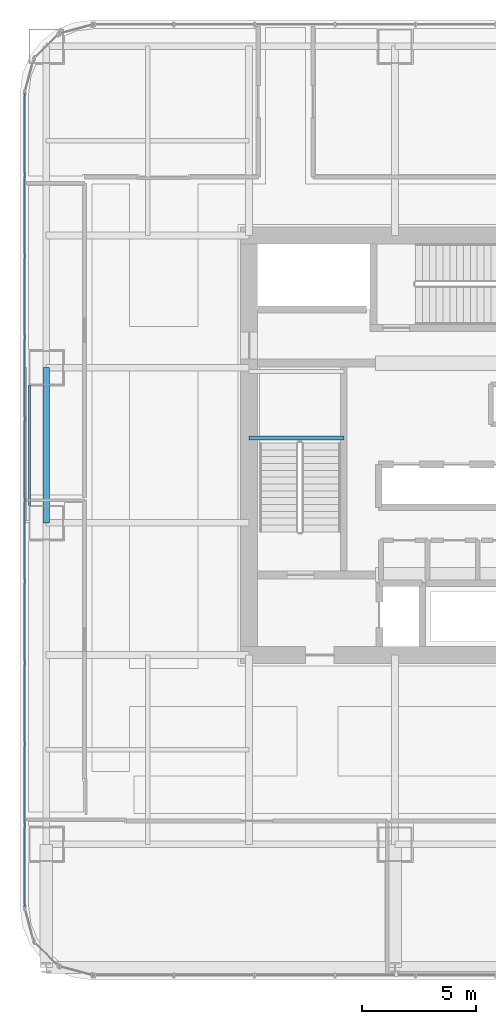
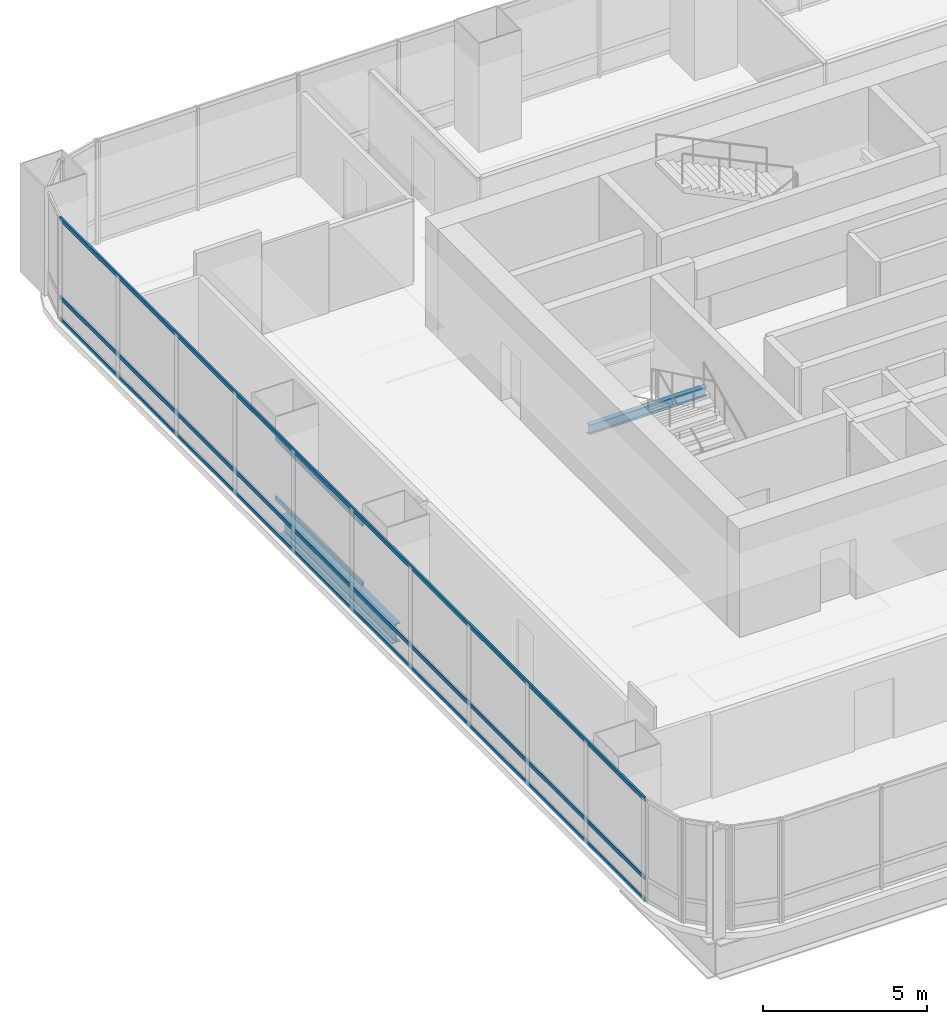
# One storey, part 9 of 35: 5 members, 2 beams, 1 element without a shape of its own.
"""IFC4 building model written with IfcOpenShell, lengths in metres."""

from ifc_helpers import new_model, si_unit, direction, frame, origin, origin_2d, place, context, subcontext, project, spatial, hollow_rectangle, i_section, extrude, material, material_profile, profile_set, type_object, element, aggregate, save


model = new_model("IFC4")

# Units and contexts
model_context = context("Model", 3, precision=1e-05, world=origin(), true_north=direction((0.0, 1.0)))
body_context = subcontext(model_context, "Body", "Model", "MODEL_VIEW")
ifc_project = project(units=[si_unit("LENGTHUNIT", "METRE"), si_unit("AREAUNIT", "SQUARE_METRE"), si_unit("VOLUMEUNIT", "CUBIC_METRE"), si_unit("PLANEANGLEUNIT", "RADIAN"), si_unit("MASSUNIT", "GRAM", prefix="KILO")], contexts=[model_context])

# Site, building, storey
site_placement = place(None, origin())
site = spatial("IfcSite", under=ifc_project, at=site_placement, CompositionType="ELEMENT")
building_placement = place(site_placement, origin())
building = spatial("IfcBuilding", under=site, at=building_placement, Name="Punatoya Terracotta Tower", CompositionType="ELEMENT")
storey_placement = place(building_placement, frame((0.0, 0.0, 72.75)))
storey = spatial("IfcBuildingStorey", under=building, at=storey_placement, Name="L16", CompositionType="ELEMENT", Elevation=72.75)

# Beams
ifc_material_1 = material(Name="Steel S355", Category="steel")
ifc_material_profile_1 = material_profile(ifc_material_1, i_section(OverallWidth=0.300048828125, OverallDepth=0.699951171875, WebThickness=0.01708984375, FlangeThickness=0.031982421875, FilletRadius=0.01806640625, at=origin_2d()))
ifc_profile_set_1 = profile_set([ifc_material_profile_1], Name="Steel S355")
beam_type_1 = type_object("IfcBeamType", Name="BM-PRI-700", PredefinedType="BEAM", material=ifc_profile_set_1)
beam_1_placement = place(storey_placement, frame((-19.10009765625, -3.39990234375, -0.590087890625), z_axis=(0.0, 1.0, 0.0), x_axis=(-1.0, 0.0, 0.0)))
element("IfcBeam", 1, at=beam_1_placement, inside=storey, type_object=beam_type_1, Name="BM-L16-RG-W2", PredefinedType="BEAM", context=body_context, shape_type="SweptSolid", body=[
    extrude(i_section(OverallWidth=0.300048828125, OverallDepth=0.699951171875, WebThickness=0.01708984375, FlangeThickness=0.031982421875, FilletRadius=0.01806640625, at=origin_2d()), origin(), (0.0, 0.0, 1.0), 6.7998046875),
])
ifc_material_profile_2 = material_profile(ifc_material_1, i_section(OverallWidth=0.169921875, OverallDepth=0.360107421875, WebThickness=0.008056640625, FlangeThickness=0.0126953125, FilletRadius=0.01806640625, at=origin_2d()))
ifc_profile_set_2 = profile_set([ifc_material_profile_2], Name="Steel S355")
beam_type_2 = type_object("IfcBeamType", Name="BM-SEC-360", PredefinedType="JOIST", material=ifc_profile_set_2)
beam_2_placement = place(storey_placement, frame((-10.199951171875, 0.320068359375, 1.64501953125), z_axis=(1.0, 0.0, 0.0), x_axis=(0.0, 1.0, 0.0)))
element("IfcBeam", 2, at=beam_2_placement, inside=storey, type_object=beam_type_2, Name="BM-L16-ST-1-LD1A", PredefinedType="JOIST", context=body_context, shape_type="SweptSolid", body=[
    extrude(i_section(OverallWidth=0.169921875, OverallDepth=0.360107421875, WebThickness=0.008056640625, FlangeThickness=0.0126953125, FilletRadius=0.01806640625, at=origin_2d()), origin(), (0.0, 0.0, 1.0), 4.14990234375),
])

# Curtain wall, members
ifc_material_2 = material(Name="Aluminium 6063-T6 + Double Low-E Glass", Category="aluminium")
curtain_wall_type = type_object("IfcCurtainWallType", Name="CW-M1", PredefinedType="NOTDEFINED", material=ifc_material_2)
curtain_wall_placement = place(storey_placement, origin())
curtain_wall = element("IfcCurtainWall", 3, at=curtain_wall_placement, inside=storey, type_object=curtain_wall_type, Name="L16 Curtain Wall CW-L16-W13-1", PredefinedType="NOTDEFINED")
ifc_material_3 = material(Name="Aluminium 6063-T6", Category="aluminium")
ifc_material_profile_3 = material_profile(ifc_material_3, hollow_rectangle(XDim=0.068115234375, YDim=0.14990234375, WallThickness=0.00390625, at=origin_2d()))
ifc_profile_set_3 = profile_set([ifc_material_profile_3], Name="Aluminium 6063-T6")
member_type_1 = type_object("IfcMemberType", Name="CW-TRN-TYP", PredefinedType="USERDEFINED", material=ifc_profile_set_3)
member_1_placement = place(storey_placement, frame((-20.050048828125, 15.43701171875, 0.0400390625), z_axis=(0.0, -1.0, 0.0), x_axis=(1.0, 0.0, 0.0)))
member_1 = element("IfcMember", 4, at=member_1_placement, type_object=member_type_1, Name="CW-L16-W13-1 Transom 1", ObjectType="TRANSOM", PredefinedType="USERDEFINED", context=body_context, shape_type="SweptSolid", body=[
    extrude(hollow_rectangle(XDim=0.068115234375, YDim=0.14990234375, WallThickness=0.00390625, at=origin_2d()), origin(), (0.0, 0.0, 1.0), 35.673828125),
])
member_2_placement = place(storey_placement, frame((-20.050048828125, 15.43701171875, 0.85009765625), z_axis=(0.0, -1.0, 0.0), x_axis=(1.0, 0.0, 0.0)))
member_2 = element("IfcMember", 5, at=member_2_placement, type_object=member_type_1, Name="CW-L16-W13-1 Transom 2", ObjectType="TRANSOM", PredefinedType="USERDEFINED", context=body_context, shape_type="SweptSolid", body=[
    extrude(hollow_rectangle(XDim=0.068115234375, YDim=0.14990234375, WallThickness=0.00390625, at=origin_2d()), origin(), (0.0, 0.0, 1.0), 35.673828125),
])
member_3_placement = place(storey_placement, frame((-20.050048828125, 15.43701171875, 3.77001953125), z_axis=(0.0, -1.0, 0.0), x_axis=(1.0, 0.0, 0.0)))
member_3 = element("IfcMember", 6, at=member_3_placement, type_object=member_type_1, Name="CW-L16-W13-1 Transom 3", ObjectType="TRANSOM", PredefinedType="USERDEFINED", context=body_context, shape_type="SweptSolid", body=[
    extrude(hollow_rectangle(XDim=0.068115234375, YDim=0.14990234375, WallThickness=0.00390625, at=origin_2d()), origin(), (0.0, 0.0, 1.0), 35.673828125),
])
aggregate(curtain_wall, [member_1, member_2, member_3])

# Members
ifc_material_profile_4 = material_profile(ifc_material_1, hollow_rectangle(XDim=0.070068359375, YDim=0.139892578125, WallThickness=0.006103515625, at=origin_2d()))
ifc_profile_set_4 = profile_set([ifc_material_profile_4], Name="Steel S355")
member_type_2 = type_object("IfcMemberType", Name="MEM-BAG-RAIL", PredefinedType="USERDEFINED", material=ifc_profile_set_4)
for number, where, z_axis, x_axis, name in (
    (7, (-19.83203125, -2.650390625, 1.050048828125), (0.0, 1.0, 0.0), (-1.0, 0.0, 0.0), "L16 Terracotta Baguette Carrier Rail BAG-L16-W-R1"),
    (8, (-19.83203125, -2.650390625, 3.260009765625), (0.0, 1.0, 0.0), (-1.0, 0.0, 0.0), "L16 Terracotta Baguette Carrier Rail BAG-L16-W-R2"),
):
    element("IfcMember", number, at=place(storey_placement, frame(where, z_axis=z_axis, x_axis=x_axis)), inside=storey, type_object=member_type_2, Name=name, ObjectType="BAGUETTE", PredefinedType="USERDEFINED", context=body_context, shape_type="SweptSolid", body=[
        extrude(hollow_rectangle(XDim=0.070068359375, YDim=0.139892578125, WallThickness=0.006103515625, at=origin_2d()), origin(), (0.0, 0.0, 1.0), 5.30078125),
    ])

save(model, "model.ifc")
